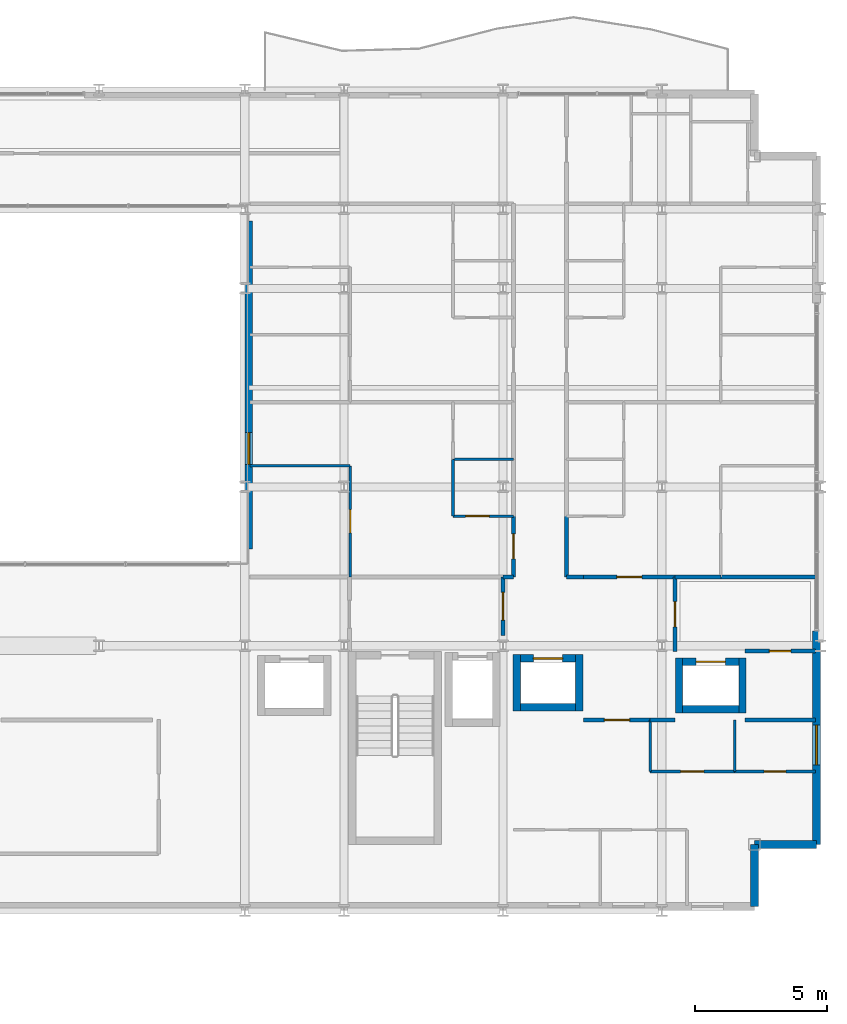
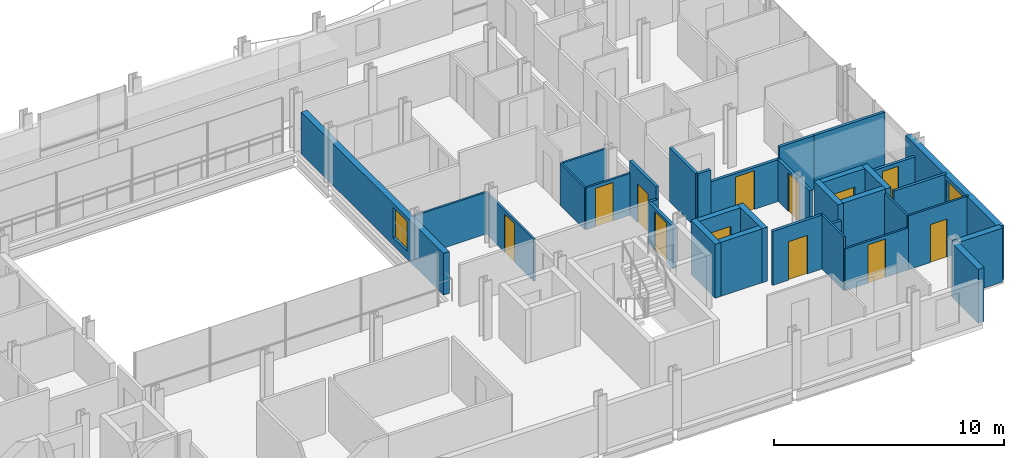
# One storey, part 35 of 40: 34 walls, 12 doors, 2 windows, 14 openings.
"""IFC4 building model written with IfcOpenShell, lengths in metres."""

from ifc_helpers import new_model, si_unit, direction, frame, frame_2d, origin, place, context, subcontext, project, spatial, rectangle, extrude, material, layer, layer_set, type_object, element, fill, save


model = new_model("IFC4")

# Units and contexts
model_context = context("Model", 3, precision=1e-05, world=origin(), true_north=direction((0.0, 1.0)))
body_context = subcontext(model_context, "Body", "Model", "MODEL_VIEW")
ifc_project = project(units=[si_unit("LENGTHUNIT", "METRE"), si_unit("AREAUNIT", "SQUARE_METRE"), si_unit("VOLUMEUNIT", "CUBIC_METRE"), si_unit("PLANEANGLEUNIT", "RADIAN"), si_unit("MASSUNIT", "GRAM", prefix="KILO")], contexts=[model_context])

# Site, building, storey
site_placement = place(None, origin())
site = spatial("IfcSite", under=ifc_project, at=site_placement, CompositionType="ELEMENT")
building_placement = place(site_placement, origin())
building = spatial("IfcBuilding", under=site, at=building_placement, Name="Brevholm Reach", CompositionType="ELEMENT")
storey_placement = place(building_placement, frame((0.0, 0.0, 80.699951171875)))
storey = spatial("IfcBuildingStorey", under=building, at=storey_placement, Name="L23", CompositionType="ELEMENT", Elevation=80.699951171875)

# Walls
ifc_material_1 = material(Name="Concrete C50/60", Category="concrete")
ifc_layer_1 = layer(ifc_material_1, 0.280029296875)
ifc_layer_set_1 = layer_set([ifc_layer_1], Name="Concrete C50/60")
wall_type_1 = type_object("IfcWallType", Name="WAL-COR-280", PredefinedType="SHEAR", material=ifc_layer_set_1)
for number, where, z_axis, x_axis, name in (
    (1, (48.52490234375, 7.534912109375, 0.0), (0.0, 0.0, 1.0), (0.0, 1.0, 0.0), "L23 Lift PL-L1 Shaft Wall W"),
    (2, (50.875, 7.534912109375, 0.0), (0.0, 0.0, 1.0), (0.0, 1.0, 0.0), "L23 Lift PL-L1 Shaft Wall E"),
):
    element("IfcWall", number, at=place(storey_placement, frame(where, z_axis=z_axis, x_axis=x_axis)), inside=storey, type_object=wall_type_1, Name=name, PredefinedType="SHEAR", context=body_context, shape_type="SweptSolid", body=[
        extrude(rectangle(XDim=2.130126953125, YDim=0.280029296875, at=frame_2d((1.06494140625, 0.0))), origin(), (0.0, 0.0, 1.0), 2.8701171875),
    ])
wall_1_placement = place(storey_placement, frame((48.6650390625, 7.675048828125, 0.0), z_axis=(0.0, 0.0, 1.0), x_axis=(1.0, 0.0, 0.0)))
element("IfcWall", 3, at=wall_1_placement, inside=storey, type_object=wall_type_1, Name="L23 Lift PL-L1 Shaft Wall S", PredefinedType="SHEAR", context=body_context, shape_type="SweptSolid", body=[
    extrude(rectangle(XDim=2.070068359375, YDim=0.280029296875, at=frame_2d((1.03515625, 0.0))), origin(), (0.0, 0.0, 1.0), 2.8701171875),
])

# Wall, opening, door
wall_2_placement = place(storey_placement, frame((48.6650390625, 9.52490234375, 0.0), z_axis=(0.0, 0.0, 1.0), x_axis=(1.0, 0.0, 0.0)))
wall_2 = element("IfcWall", 4, at=wall_2_placement, inside=storey, type_object=wall_type_1, Name="L23 Lift PL-L1 Shaft Wall N", PredefinedType="SHEAR", context=body_context, shape_type="SweptSolid", body=[
    extrude(rectangle(XDim=2.070068359375, YDim=0.280029296875, at=frame_2d((1.03515625, 0.0))), origin(), (0.0, 0.0, 1.0), 2.8701171875),
])
opening_1_placement = place(wall_2_placement, frame((0.485107421875, 0.0, 0.0)))
opening_1 = element("IfcOpeningElement", 5, at=opening_1_placement, cuts=wall_2, Name="Opening LD-PL-L1", PredefinedType="OPENING", context=body_context, shape_type="SweptSolid", body=[
    extrude(rectangle(XDim=1.10009765625, YDim=2.06005859375, at=frame_2d((0.550048828125, 1.030029296875))), frame((0.0, 0.14990234375, 0.0), z_axis=(0.0, -1.0, 0.0), x_axis=(1.0, 0.0, 0.0)), (0.0, 0.0, 1.0), 0.300048828125),
])
ifc_material_2 = material(Name="Brushed Stainless Steel Fire-Rated Sliding Lift Door", Category="steel")
door_type_1 = type_object("IfcDoorType", Name="DOR-LFT-1100", OperationType="NOTDEFINED", PredefinedType="DOOR", material=ifc_material_2)
door_1_placement = place(opening_1_placement, origin())
door_1 = element("IfcDoor", 6, at=door_1_placement, inside=storey, type_object=door_type_1, Name="L23 Lift PL-L1 Sliding Landing Door", OperationType="SLIDING_TO_LEFT", OverallHeight=2.06005859375, OverallWidth=1.10009765625, PredefinedType="DOOR", context=body_context, shape_type="SweptSolid", body=[
    extrude(rectangle(XDim=1.10009765625, YDim=2.06005859375, at=frame_2d((0.550048828125, 1.030029296875))), frame((0.0, 0.02490234375, 0.0), z_axis=(0.0, -1.0, 0.0), x_axis=(1.0, 0.0, 0.0)), (0.0, 0.0, 1.0), 0.050048828125),
])
fill(opening_1, door_1)

# Walls
for number, where, z_axis, x_axis, name in (
    (7, (54.64990234375, 7.4599609375, 0.0), (0.0, 0.0, 1.0), (0.0, 1.0, 0.0), "L23 Lift PL-L2 Shaft Wall W"),
    (8, (57.050048828125, 7.4599609375, 0.0), (0.0, 0.0, 1.0), (0.0, 1.0, 0.0), "L23 Lift PL-L2 Shaft Wall E"),
):
    element("IfcWall", number, at=place(storey_placement, frame(where, z_axis=z_axis, x_axis=x_axis)), inside=storey, type_object=wall_type_1, Name=name, PredefinedType="SHEAR", context=body_context, shape_type="SweptSolid", body=[
        extrude(rectangle(XDim=2.080078125, YDim=0.280029296875, at=frame_2d((1.0400390625, 0.0))), origin(), (0.0, 0.0, 1.0), 2.8701171875),
    ])
wall_3_placement = place(storey_placement, frame((54.7900390625, 7.60009765625, 0.0), z_axis=(0.0, 0.0, 1.0), x_axis=(1.0, 0.0, 0.0)))
element("IfcWall", 9, at=wall_3_placement, inside=storey, type_object=wall_type_1, Name="L23 Lift PL-L2 Shaft Wall S", PredefinedType="SHEAR", context=body_context, shape_type="SweptSolid", body=[
    extrude(rectangle(XDim=2.119873046875, YDim=0.280029296875, at=frame_2d((1.06005859375, 0.0))), origin(), (0.0, 0.0, 1.0), 2.8701171875),
])

# Wall, opening, door
wall_4_placement = place(storey_placement, frame((54.7900390625, 9.39990234375, 0.0), z_axis=(0.0, 0.0, 1.0), x_axis=(1.0, 0.0, 0.0)))
wall_4 = element("IfcWall", 10, at=wall_4_placement, inside=storey, type_object=wall_type_1, Name="L23 Lift PL-L2 Shaft Wall N", PredefinedType="SHEAR", context=body_context, shape_type="SweptSolid", body=[
    extrude(rectangle(XDim=2.119873046875, YDim=0.280029296875, at=frame_2d((1.06005859375, 0.0))), origin(), (0.0, 0.0, 1.0), 2.8701171875),
])
opening_2_placement = place(wall_4_placement, frame((0.510009765625, 0.0, 0.0)))
opening_2 = element("IfcOpeningElement", 11, at=opening_2_placement, cuts=wall_4, Name="Opening LD-PL-L2", PredefinedType="OPENING", context=body_context, shape_type="SweptSolid", body=[
    extrude(rectangle(XDim=1.10009765625, YDim=2.06005859375, at=frame_2d((0.550048828125, 1.030029296875))), frame((0.0, 0.14990234375, 0.0), z_axis=(0.0, -1.0, 0.0), x_axis=(1.0, 0.0, 0.0)), (0.0, 0.0, 1.0), 0.300048828125),
])
door_2_placement = place(opening_2_placement, origin())
door_2 = element("IfcDoor", 12, at=door_2_placement, inside=storey, type_object=door_type_1, Name="L23 Lift PL-L2 Sliding Landing Door", OperationType="SLIDING_TO_RIGHT", OverallHeight=2.06005859375, OverallWidth=1.10009765625, PredefinedType="DOOR", context=body_context, shape_type="SweptSolid", body=[
    extrude(rectangle(XDim=1.10009765625, YDim=2.06005859375, at=frame_2d((0.550048828125, 1.030029296875))), frame((0.0, 0.02490234375, 0.0), z_axis=(0.0, -1.0, 0.0), x_axis=(1.0, 0.0, 0.0)), (0.0, 0.0, 1.0), 0.050048828125),
])
fill(opening_2, door_2)

# Walls
ifc_material_3 = material(Name="Concrete C40/50", Category="concrete")
ifc_layer_2 = layer(ifc_material_3, 0.300048828125)
ifc_layer_set_2 = layer_set([ifc_layer_2], Name="Concrete C40/50")
wall_type_2 = type_object("IfcWallType", Name="WAL-EXT-300", PredefinedType="STANDARD", material=ifc_layer_set_2)
for number, where, z_axis, x_axis, name in (
    (13, (57.5, 0.14990234375, 0.0), (0.0, 0.0, 1.0), (0.0, 1.0, 0.0), "L23 Facade Wall WAL-L23-CSE1"),
    (14, (57.5, 2.5, 0.0), (0.0, 0.0, 1.0), (1.0, 0.0, 0.0), "L23 Facade Wall WAL-L23-CSE2"),
):
    element("IfcWall", number, at=place(storey_placement, frame(where, z_axis=z_axis, x_axis=x_axis)), inside=storey, type_object=wall_type_2, Name=name, PredefinedType="STANDARD", context=body_context, shape_type="SweptSolid", body=[
        extrude(rectangle(XDim=2.35009765625, YDim=0.300048828125, at=frame_2d((1.175048828125, 0.0))), origin(), (0.0, 0.0, 1.0), 2.8701171875),
    ])

# Wall, opening, window
wall_5_placement = place(storey_placement, frame((59.85009765625, 2.5, 0.0), z_axis=(0.0, 0.0, 1.0), x_axis=(0.0, 1.0, 0.0)))
wall_5 = element("IfcWall", 15, at=wall_5_placement, inside=storey, type_object=wall_type_2, Name="L23 Facade Wall WAL-L23-E-S", PredefinedType="STANDARD", context=body_context, shape_type="SweptSolid", body=[
    extrude(rectangle(XDim=8.050048828125, YDim=0.300048828125, at=frame_2d((4.02490234375, 0.0))), origin(), (0.0, 0.0, 1.0), 2.8701171875),
])
opening_3_placement = place(wall_5_placement, frame((3.0, 0.0, 0.85009765625)))
opening_3 = element("IfcOpeningElement", 16, at=opening_3_placement, cuts=wall_5, Name="Opening WN-05", PredefinedType="OPENING", context=body_context, shape_type="SweptSolid", body=[
    extrude(rectangle(XDim=1.5, YDim=1.800048828125, at=frame_2d((0.75, 0.89990234375))), frame((0.0, 0.159912109375, 0.0), z_axis=(0.0, -1.0, 0.0), x_axis=(1.0, 0.0, 0.0)), (0.0, 0.0, 1.0), 0.320068359375),
])
ifc_material_4 = material(Name="Dark Anodised Aluminium and Solar-Control IGU Glass", Category="aluminium")
window_type_1 = type_object("IfcWindowType", Name="WIN-RES-1500", PartitioningType="SINGLE_PANEL", PredefinedType="WINDOW", material=ifc_material_4)
window_1_placement = place(opening_3_placement, origin())
window_1 = element("IfcWindow", 17, at=window_1_placement, inside=storey, type_object=window_type_1, Name="L23 Window WIN-L23-ES-1", OverallHeight=1.800048828125, OverallWidth=1.5, PartitioningType="SINGLE_PANEL", PredefinedType="WINDOW", context=body_context, shape_type="SweptSolid", body=[
    extrude(rectangle(XDim=1.5, YDim=1.800048828125, at=frame_2d((0.75, 0.89990234375))), frame((0.0, 0.030029296875, 0.0), z_axis=(0.0, -1.0, 0.0), x_axis=(1.0, 0.0, 0.0)), (0.0, 0.0, 1.0), 0.06005859375),
])
fill(opening_3, window_1)

wall_6_placement = place(storey_placement, frame((38.39990234375, 13.64990234375, 0.0), z_axis=(0.0, 0.0, 1.0), x_axis=(0.0, 1.0, 0.0)))
wall_6 = element("IfcWall", 18, at=wall_6_placement, inside=storey, type_object=wall_type_2, Name="L23 Facade Wall WAL-L23-AT-E", PredefinedType="STANDARD", context=body_context, shape_type="SweptSolid", body=[
    extrude(rectangle(XDim=12.400146484375, YDim=0.300048828125, at=frame_2d((6.2001953125, 0.0))), origin(), (0.0, 0.0, 1.0), 2.224853515625),
])
opening_4_placement = place(wall_6_placement, frame((3.199951171875, 0.0, 0.405029296875)))
opening_4 = element("IfcOpeningElement", 19, at=opening_4_placement, cuts=wall_6, Name="Opening WN-08", PredefinedType="OPENING", context=body_context, shape_type="SweptSolid", body=[
    extrude(rectangle(XDim=1.199951171875, YDim=1.60009765625, at=frame_2d((0.60009765625, 0.800048828125))), frame((0.0, 0.159912109375, 0.0), z_axis=(0.0, -1.0, 0.0), x_axis=(1.0, 0.0, 0.0)), (0.0, 0.0, 1.0), 0.320068359375),
])
ifc_material_5 = material(Name="Dark Anodised Aluminium and Solar-Control IGU Glass", Category="aluminium")
window_type_2 = type_object("IfcWindowType", Name="WIN-RES-1200", PartitioningType="SINGLE_PANEL", PredefinedType="WINDOW", material=ifc_material_5)
window_2_placement = place(opening_4_placement, origin())
window_2 = element("IfcWindow", 20, at=window_2_placement, inside=storey, type_object=window_type_2, Name="L23 Window WIN-L23-AT-E1", OverallHeight=1.60009765625, OverallWidth=1.199951171875, PartitioningType="SINGLE_PANEL", PredefinedType="WINDOW", context=body_context, shape_type="SweptSolid", body=[
    extrude(rectangle(XDim=1.199951171875, YDim=1.60009765625, at=frame_2d((0.60009765625, 0.800048828125))), frame((0.0, 0.030029296875, 0.0), z_axis=(0.0, -1.0, 0.0), x_axis=(1.0, 0.0, 0.0)), (0.0, 0.0, 1.0), 0.06005859375),
])
fill(opening_4, window_2)

# Wall
ifc_material_6 = material(Name="Moisture-Resistant Acoustic Gypsum Stud Partition 100 mm", Category="gypsum")
ifc_layer_3 = layer(ifc_material_6, 0.10009765625)
ifc_layer_set_3 = layer_set([ifc_layer_3], Name="Moisture-Resistant Acoustic Gypsum Stud Partition 100 mm")
wall_type_3 = type_object("IfcWallType", Name="WAL-PRT-100", PredefinedType="PARTITIONING", material=ifc_layer_set_3)
wall_7_placement = place(storey_placement, frame((56.75, 5.25, 0.0), z_axis=(0.0, 0.0, 1.0), x_axis=(0.0, 1.0, 0.0)))
element("IfcWall", 21, at=wall_7_placement, inside=storey, type_object=wall_type_3, Name="L23 Internal Partition 083", PredefinedType="PARTITIONING", context=body_context, shape_type="SweptSolid", body=[
    extrude(rectangle(XDim=1.949951171875, YDim=0.10009765625, at=frame_2d((0.97509765625, 0.0))), origin(), (0.0, 0.0, 1.0), 2.8701171875),
])

# Wall, opening, door
wall_8_placement = place(storey_placement, frame((56.75, 5.25, 0.0), z_axis=(0.0, 0.0, 1.0), x_axis=(1.0, 0.0, 0.0)))
wall_8 = element("IfcWall", 22, at=wall_8_placement, inside=storey, type_object=wall_type_3, Name="L23 Internal Partition 084", PredefinedType="PARTITIONING", context=body_context, shape_type="SweptSolid", body=[
    extrude(rectangle(XDim=3.050048828125, YDim=0.10009765625, at=frame_2d((1.52490234375, 0.0))), origin(), (0.0, 0.0, 1.0), 2.8701171875),
])
opening_5_placement = place(wall_8_placement, frame((1.114990234375, 0.0, 0.0)))
opening_5 = element("IfcOpeningElement", 23, at=opening_5_placement, cuts=wall_8, Name="Opening ID-03", PredefinedType="OPENING", context=body_context, shape_type="SweptSolid", body=[
    extrude(rectangle(XDim=0.820068359375, YDim=2.02001953125, at=frame_2d((0.41015625, 1.010009765625))), frame((0.0, 0.06005859375, 0.0), z_axis=(0.0, -1.0, 0.0), x_axis=(1.0, 0.0, 0.0)), (0.0, 0.0, 1.0), 0.1201171875),
])
ifc_material_7 = material(Name="Moisture-Resistant Painted Timber Internal Bathroom Door", Category="wood")
door_type_2 = type_object("IfcDoorType", Name="DOR-BATH-820", OperationType="NOTDEFINED", PredefinedType="DOOR", material=ifc_material_7)
door_3_placement = place(opening_5_placement, origin())
door_3 = element("IfcDoor", 24, at=door_3_placement, inside=storey, type_object=door_type_2, Name="L23 Internal Door 032", OperationType="SINGLE_SWING_LEFT", OverallHeight=2.02001953125, OverallWidth=0.820068359375, PredefinedType="DOOR", context=body_context, shape_type="SweptSolid", body=[
    extrude(rectangle(XDim=0.820068359375, YDim=2.02001953125, at=frame_2d((0.41015625, 1.010009765625))), frame((0.0, 0.02490234375, 0.0), z_axis=(0.0, -1.0, 0.0), x_axis=(1.0, 0.0, 0.0)), (0.0, 0.0, 1.0), 0.050048828125),
])
fill(opening_5, door_3)

wall_9_placement = place(storey_placement, frame((53.55810546875, 5.25, 0.0), z_axis=(0.0, 0.0, 1.0), x_axis=(1.0, 0.0, 0.0)))
wall_9 = element("IfcWall", 25, at=wall_9_placement, inside=storey, type_object=wall_type_3, Name="L23 Internal Partition 085", PredefinedType="PARTITIONING", context=body_context, shape_type="SweptSolid", body=[
    extrude(rectangle(XDim=3.18798828125, YDim=0.10009765625, at=frame_2d((1.593994140625, 0.0))), origin(), (0.0, 0.0, 1.0), 2.224853515625),
])
opening_6_placement = place(wall_9_placement, frame((1.154052734375, 0.0, 0.0)))
opening_6 = element("IfcOpeningElement", 26, at=opening_6_placement, cuts=wall_9, Name="Opening ID-01", PredefinedType="OPENING", context=body_context, shape_type="SweptSolid", body=[
    extrude(rectangle(XDim=0.8798828125, YDim=2.0400390625, at=frame_2d((0.43994140625, 1.02001953125))), frame((0.0, 0.06005859375, 0.0), z_axis=(0.0, -1.0, 0.0), x_axis=(1.0, 0.0, 0.0)), (0.0, 0.0, 1.0), 0.1201171875),
])
ifc_material_8 = material(Name="Lacquered Ash Solid-Core Acoustic Internal Door", Category="timber")
door_type_3 = type_object("IfcDoorType", Name="DOR-INT-880", OperationType="NOTDEFINED", PredefinedType="DOOR", material=ifc_material_8)
door_4_placement = place(opening_6_placement, origin())
door_4 = element("IfcDoor", 27, at=door_4_placement, inside=storey, type_object=door_type_3, Name="L23 Internal Door 033", OperationType="SINGLE_SWING_RIGHT", OverallHeight=2.0400390625, OverallWidth=0.8798828125, PredefinedType="DOOR", context=body_context, shape_type="SweptSolid", body=[
    extrude(rectangle(XDim=0.8798828125, YDim=2.0400390625, at=frame_2d((0.43994140625, 1.02001953125))), frame((0.0, 0.02490234375, 0.0), z_axis=(0.0, -1.0, 0.0), x_axis=(1.0, 0.0, 0.0)), (0.0, 0.0, 1.0), 0.050048828125),
])
fill(opening_6, door_4)

# Walls
wall_10_placement = place(storey_placement, frame((53.55810546875, 5.25, 0.0), z_axis=(0.0, 0.0, 1.0), x_axis=(0.0, 1.0, 0.0)))
element("IfcWall", 28, at=wall_10_placement, inside=storey, type_object=wall_type_3, Name="L23 Internal Partition 086", PredefinedType="PARTITIONING", context=body_context, shape_type="SweptSolid", body=[
    extrude(rectangle(XDim=1.946044921875, YDim=0.10009765625, at=frame_2d((0.97314453125, 0.0))), origin(), (0.0, 0.0, 1.0), 2.8701171875),
])
wall_11_placement = place(storey_placement, frame((46.112060546875, 17.050048828125, 0.0), z_axis=(0.0, 0.0, 1.0), x_axis=(1.0, 0.0, 0.0)))
element("IfcWall", 29, at=wall_11_placement, inside=storey, type_object=wall_type_3, Name="L23 Internal Partition 130", PredefinedType="PARTITIONING", context=body_context, shape_type="SweptSolid", body=[
    extrude(rectangle(XDim=2.283935546875, YDim=0.10009765625, at=frame_2d((1.14208984375, 0.0))), origin(), (0.0, 0.0, 1.0), 2.224853515625),
])

# Wall, opening, door
wall_12_placement = place(storey_placement, frame((46.112060546875, 14.89990234375, 0.0), z_axis=(0.0, 0.0, 1.0), x_axis=(1.0, 0.0, 0.0)))
wall_12 = element("IfcWall", 30, at=wall_12_placement, inside=storey, type_object=wall_type_3, Name="L23 Internal Partition 133", PredefinedType="PARTITIONING", context=body_context, shape_type="SweptSolid", body=[
    extrude(rectangle(XDim=2.283935546875, YDim=0.10009765625, at=frame_2d((1.14208984375, 0.0))), origin(), (0.0, 0.0, 1.0), 2.224853515625),
])
opening_7_placement = place(wall_12_placement, frame((0.48193359375, 0.0, 0.0)))
opening_7 = element("IfcOpeningElement", 31, at=opening_7_placement, cuts=wall_12, Name="Opening ID-01", PredefinedType="OPENING", context=body_context, shape_type="SweptSolid", body=[
    extrude(rectangle(XDim=0.8798828125, YDim=2.0400390625, at=frame_2d((0.43994140625, 1.02001953125))), frame((0.0, 0.06005859375, 0.0), z_axis=(0.0, -1.0, 0.0), x_axis=(1.0, 0.0, 0.0)), (0.0, 0.0, 1.0), 0.1201171875),
])
door_5_placement = place(opening_7_placement, origin())
door_5 = element("IfcDoor", 32, at=door_5_placement, inside=storey, type_object=door_type_3, Name="L23 Internal Door 051", OperationType="SINGLE_SWING_RIGHT", OverallHeight=2.0400390625, OverallWidth=0.8798828125, PredefinedType="DOOR", context=body_context, shape_type="SweptSolid", body=[
    extrude(rectangle(XDim=0.8798828125, YDim=2.0400390625, at=frame_2d((0.43994140625, 1.02001953125))), frame((0.0, 0.02490234375, 0.0), z_axis=(0.0, -1.0, 0.0), x_axis=(1.0, 0.0, 0.0)), (0.0, 0.0, 1.0), 0.050048828125),
])
fill(opening_7, door_5)

# Wall
wall_13_placement = place(storey_placement, frame((46.112060546875, 14.89990234375, 0.0), z_axis=(0.0, 0.0, 1.0), x_axis=(0.0, 1.0, 0.0)))
element("IfcWall", 33, at=wall_13_placement, inside=storey, type_object=wall_type_3, Name="L23 Internal Partition 134", PredefinedType="PARTITIONING", context=body_context, shape_type="SweptSolid", body=[
    extrude(rectangle(XDim=2.14599609375, YDim=0.10009765625, at=frame_2d((1.072998046875, 0.0))), origin(), (0.0, 0.0, 1.0), 2.224853515625),
])

# Wall, opening, door
wall_14_placement = place(storey_placement, frame((42.23095703125, 12.60400390625, 0.0), z_axis=(0.0, 0.0, 1.0), x_axis=(0.0, 1.0, 0.0)))
wall_14 = element("IfcWall", 34, at=wall_14_placement, inside=storey, type_object=wall_type_3, Name="L23 Internal Partition 135", PredefinedType="PARTITIONING", context=body_context, shape_type="SweptSolid", body=[
    extrude(rectangle(XDim=4.196044921875, YDim=0.10009765625, at=frame_2d((2.09814453125, 0.0))), origin(), (0.0, 0.0, 1.0), 2.224853515625),
])
opening_8_placement = place(wall_14_placement, frame((1.657958984375, 0.0, 0.0)))
opening_8 = element("IfcOpeningElement", 35, at=opening_8_placement, cuts=wall_14, Name="Opening ID-01", PredefinedType="OPENING", context=body_context, shape_type="SweptSolid", body=[
    extrude(rectangle(XDim=0.8798828125, YDim=2.0400390625, at=frame_2d((0.43994140625, 1.02001953125))), frame((0.0, 0.06005859375, 0.0), z_axis=(0.0, -1.0, 0.0), x_axis=(1.0, 0.0, 0.0)), (0.0, 0.0, 1.0), 0.1201171875),
])
door_6_placement = place(opening_8_placement, origin())
door_6 = element("IfcDoor", 36, at=door_6_placement, inside=storey, type_object=door_type_3, Name="L23 Internal Door 052", OperationType="SINGLE_SWING_LEFT", OverallHeight=2.0400390625, OverallWidth=0.8798828125, PredefinedType="DOOR", context=body_context, shape_type="SweptSolid", body=[
    extrude(rectangle(XDim=0.8798828125, YDim=2.0400390625, at=frame_2d((0.43994140625, 1.02001953125))), frame((0.0, 0.02490234375, 0.0), z_axis=(0.0, -1.0, 0.0), x_axis=(1.0, 0.0, 0.0)), (0.0, 0.0, 1.0), 0.050048828125),
])
fill(opening_8, door_6)

# Wall
wall_15_placement = place(storey_placement, frame((38.449951171875, 16.800048828125, 0.0), z_axis=(0.0, 0.0, 1.0), x_axis=(1.0, 0.0, 0.0)))
element("IfcWall", 37, at=wall_15_placement, inside=storey, type_object=wall_type_3, Name="L23 Internal Partition 136", PredefinedType="PARTITIONING", context=body_context, shape_type="SweptSolid", body=[
    extrude(rectangle(XDim=3.781005859375, YDim=0.10009765625, at=frame_2d((1.890625, 0.0))), origin(), (0.0, 0.0, 1.0), 2.224853515625),
])

# Wall, opening, door
ifc_material_9 = material(Name="Twin-Stud Acoustic Fire-Rated Gypsum Partition 140 mm", Category="gypsum")
ifc_layer_4 = layer(ifc_material_9, 0.139892578125)
ifc_layer_set_4 = layer_set([ifc_layer_4], Name="Twin-Stud Acoustic Fire-Rated Gypsum Partition 140 mm")
wall_type_4 = type_object("IfcWallType", Name="WAL-PRT-140", PredefinedType="PARTITIONING", material=ifc_layer_set_4)
wall_16_placement = place(storey_placement, frame((54.5, 9.788818359375, 0.0), z_axis=(0.0, 0.0, 1.0), x_axis=(0.0, 1.0, 0.0)))
wall_16 = element("IfcWall", 38, at=wall_16_placement, inside=storey, type_object=wall_type_4, Name="L23 Internal Partition 013", PredefinedType="PARTITIONING", context=body_context, shape_type="SweptSolid", body=[
    extrude(rectangle(XDim=2.811279296875, YDim=0.139892578125, at=frame_2d((1.40576171875, 0.0))), origin(), (0.0, 0.0, 1.0), 2.224853515625),
])
opening_9_placement = place(wall_16_placement, frame((0.9306640625, 0.0, 0.0)))
opening_9 = element("IfcOpeningElement", 39, at=opening_9_placement, cuts=wall_16, Name="Opening ID-30", PredefinedType="OPENING", context=body_context, shape_type="SweptSolid", body=[
    extrude(rectangle(XDim=0.949951171875, YDim=2.050048828125, at=frame_2d((0.47509765625, 1.02490234375))), frame((0.0, 0.079833984375, 0.0), z_axis=(0.0, -1.0, 0.0), x_axis=(1.0, 0.0, 0.0)), (0.0, 0.0, 1.0), 0.159912109375),
])
ifc_material_10 = material(Name="European Oak Veneered Solid-Core Fire Entrance Door", Category="timber")
door_type_4 = type_object("IfcDoorType", Name="DOR-FLT-FD30S", OperationType="NOTDEFINED", PredefinedType="DOOR", material=ifc_material_10)
door_7_placement = place(opening_9_placement, origin())
door_7 = element("IfcDoor", 40, at=door_7_placement, inside=storey, type_object=door_type_4, Name="L23 Internal Door 008", OperationType="SINGLE_SWING_LEFT", OverallHeight=2.050048828125, OverallWidth=0.949951171875, PredefinedType="DOOR", context=body_context, shape_type="SweptSolid", body=[
    extrude(rectangle(XDim=0.949951171875, YDim=2.050048828125, at=frame_2d((0.47509765625, 1.02490234375))), frame((0.0, 0.02490234375, 0.0), z_axis=(0.0, -1.0, 0.0), x_axis=(1.0, 0.0, 0.0)), (0.0, 0.0, 1.0), 0.050048828125),
])
fill(opening_9, door_7)

# Wall
wall_17_placement = place(storey_placement, frame((53.546630859375, 7.199951171875, 0.0), z_axis=(0.0, 0.0, 1.0), x_axis=(1.0, 0.0, 0.0)))
element("IfcWall", 41, at=wall_17_placement, inside=storey, type_object=wall_type_4, Name="L23 Internal Partition 014", PredefinedType="PARTITIONING", context=body_context, shape_type="SweptSolid", body=[
    extrude(rectangle(XDim=0.953369140625, YDim=0.139892578125, at=frame_2d((0.4765625, 0.0))), origin(), (0.0, 0.0, 1.0), 2.224853515625),
])

# Wall, opening, door
wall_18_placement = place(storey_placement, frame((51.050048828125, 7.199951171875, 0.0), z_axis=(0.0, 0.0, 1.0), x_axis=(1.0, 0.0, 0.0)))
wall_18 = element("IfcWall", 42, at=wall_18_placement, inside=storey, type_object=wall_type_4, Name="L23 Internal Partition 015", PredefinedType="PARTITIONING", context=body_context, shape_type="SweptSolid", body=[
    extrude(rectangle(XDim=2.51513671875, YDim=0.139892578125, at=frame_2d((1.257568359375, 0.0))), origin(), (0.0, 0.0, 1.0), 2.8701171875),
])
opening_10_placement = place(wall_18_placement, frame((0.78271484375, 0.0, 0.0)))
opening_10 = element("IfcOpeningElement", 43, at=opening_10_placement, cuts=wall_18, Name="Opening ID-30", PredefinedType="OPENING", context=body_context, shape_type="SweptSolid", body=[
    extrude(rectangle(XDim=0.949951171875, YDim=2.050048828125, at=frame_2d((0.47509765625, 1.02490234375))), frame((0.0, 0.079833984375, 0.0), z_axis=(0.0, -1.0, 0.0), x_axis=(1.0, 0.0, 0.0)), (0.0, 0.0, 1.0), 0.159912109375),
])
door_8_placement = place(opening_10_placement, origin())
door_8 = element("IfcDoor", 44, at=door_8_placement, inside=storey, type_object=door_type_4, Name="L23 Internal Door 009", OperationType="SINGLE_SWING_RIGHT", OverallHeight=2.050048828125, OverallWidth=0.949951171875, PredefinedType="DOOR", context=body_context, shape_type="SweptSolid", body=[
    extrude(rectangle(XDim=0.949951171875, YDim=2.050048828125, at=frame_2d((0.47509765625, 1.02490234375))), frame((0.0, 0.02490234375, 0.0), z_axis=(0.0, -1.0, 0.0), x_axis=(1.0, 0.0, 0.0)), (0.0, 0.0, 1.0), 0.050048828125),
])
fill(opening_10, door_8)

wall_19_placement = place(storey_placement, frame((51.050048828125, 12.60009765625, 0.0), z_axis=(0.0, 0.0, 1.0), x_axis=(1.0, 0.0, 0.0)))
wall_19 = element("IfcWall", 45, at=wall_19_placement, inside=storey, type_object=wall_type_4, Name="L23 Internal Partition 016", PredefinedType="PARTITIONING", context=body_context, shape_type="SweptSolid", body=[
    extrude(rectangle(XDim=3.449951171875, YDim=0.139892578125, at=frame_2d((1.72509765625, 0.0))), origin(), (0.0, 0.0, 1.0), 2.224853515625),
])
opening_11_placement = place(wall_19_placement, frame((1.25, 0.0, 0.0)))
opening_11 = element("IfcOpeningElement", 46, at=opening_11_placement, cuts=wall_19, Name="Opening ID-30", PredefinedType="OPENING", context=body_context, shape_type="SweptSolid", body=[
    extrude(rectangle(XDim=0.949951171875, YDim=2.050048828125, at=frame_2d((0.47509765625, 1.02490234375))), frame((0.0, 0.079833984375, 0.0), z_axis=(0.0, -1.0, 0.0), x_axis=(1.0, 0.0, 0.0)), (0.0, 0.0, 1.0), 0.159912109375),
])
door_9_placement = place(opening_11_placement, origin())
door_9 = element("IfcDoor", 47, at=door_9_placement, inside=storey, type_object=door_type_4, Name="L23 Internal Door 010", OperationType="SINGLE_SWING_LEFT", OverallHeight=2.050048828125, OverallWidth=0.949951171875, PredefinedType="DOOR", context=body_context, shape_type="SweptSolid", body=[
    extrude(rectangle(XDim=0.949951171875, YDim=2.050048828125, at=frame_2d((0.47509765625, 1.02490234375))), frame((0.0, 0.02490234375, 0.0), z_axis=(0.0, -1.0, 0.0), x_axis=(1.0, 0.0, 0.0)), (0.0, 0.0, 1.0), 0.050048828125),
])
fill(opening_11, door_9)

# Walls
wall_20_placement = place(storey_placement, frame((48.00390625, 12.60009765625, 0.0), z_axis=(0.0, 0.0, 1.0), x_axis=(1.0, 0.0, 0.0)))
element("IfcWall", 48, at=wall_20_placement, inside=storey, type_object=wall_type_4, Name="L23 Internal Partition 031", PredefinedType="PARTITIONING", context=body_context, shape_type="SweptSolid", body=[
    extrude(rectangle(XDim=0.4033203125, YDim=0.139892578125, at=frame_2d((0.20166015625, 0.0))), origin(), (0.0, 0.0, 1.0), 2.224853515625),
])
wall_21_placement = place(storey_placement, frame((50.392578125, 12.60009765625, 0.0), z_axis=(0.0, 0.0, 1.0), x_axis=(1.0, 0.0, 0.0)))
element("IfcWall", 49, at=wall_21_placement, inside=storey, type_object=wall_type_4, Name="L23 Internal Partition 032", PredefinedType="PARTITIONING", context=body_context, shape_type="SweptSolid", body=[
    extrude(rectangle(XDim=0.6533203125, YDim=0.139892578125, at=frame_2d((0.32666015625, 0.0))), origin(), (0.0, 0.0, 1.0), 2.8701171875),
])

# Wall, opening, door
wall_22_placement = place(storey_placement, frame((48.39990234375, 12.60400390625, 0.0), z_axis=(0.0, 0.0, 1.0), x_axis=(0.0, 1.0, 0.0)))
wall_22 = element("IfcWall", 50, at=wall_22_placement, inside=storey, type_object=wall_type_4, Name="L23 Internal Partition 048", PredefinedType="PARTITIONING", context=body_context, shape_type="SweptSolid", body=[
    extrude(rectangle(XDim=2.30322265625, YDim=0.139892578125, at=frame_2d((1.151611328125, 0.0))), origin(), (0.0, 0.0, 1.0), 2.8701171875),
])
opening_12_placement = place(wall_22_placement, frame((0.6767578125, 0.0, 0.0)))
opening_12 = element("IfcOpeningElement", 51, at=opening_12_placement, cuts=wall_22, Name="Opening ID-30", PredefinedType="OPENING", context=body_context, shape_type="SweptSolid", body=[
    extrude(rectangle(XDim=0.949951171875, YDim=2.050048828125, at=frame_2d((0.47509765625, 1.02490234375))), frame((0.0, 0.079833984375, 0.0), z_axis=(0.0, -1.0, 0.0), x_axis=(1.0, 0.0, 0.0)), (0.0, 0.0, 1.0), 0.159912109375),
])
door_10_placement = place(opening_12_placement, origin())
door_10 = element("IfcDoor", 52, at=door_10_placement, inside=storey, type_object=door_type_4, Name="L23 Internal Door 022", OperationType="SINGLE_SWING_LEFT", OverallHeight=2.050048828125, OverallWidth=0.949951171875, PredefinedType="DOOR", context=body_context, shape_type="SweptSolid", body=[
    extrude(rectangle(XDim=0.949951171875, YDim=2.050048828125, at=frame_2d((0.47509765625, 1.02490234375))), frame((0.0, 0.02490234375, 0.0), z_axis=(0.0, -1.0, 0.0), x_axis=(1.0, 0.0, 0.0)), (0.0, 0.0, 1.0), 0.050048828125),
])
fill(opening_12, door_10)

# Wall
wall_23_placement = place(storey_placement, frame((50.39990234375, 12.60400390625, 0.0), z_axis=(0.0, 0.0, 1.0), x_axis=(0.0, 1.0, 0.0)))
element("IfcWall", 53, at=wall_23_placement, inside=storey, type_object=wall_type_4, Name="L23 Internal Partition 054", PredefinedType="PARTITIONING", context=body_context, shape_type="SweptSolid", body=[
    extrude(rectangle(XDim=2.30322265625, YDim=0.139892578125, at=frame_2d((1.151611328125, 0.0))), origin(), (0.0, 0.0, 1.0), 2.8701171875),
])

# Wall, opening, door
wall_24_placement = place(storey_placement, frame((57.138671875, 9.800048828125, 0.0), z_axis=(0.0, 0.0, 1.0), x_axis=(1.0, 0.0, 0.0)))
wall_24 = element("IfcWall", 54, at=wall_24_placement, inside=storey, type_object=wall_type_4, Name="L23 Internal Partition 079", PredefinedType="PARTITIONING", context=body_context, shape_type="SweptSolid", body=[
    extrude(rectangle(XDim=2.661376953125, YDim=0.139892578125, at=frame_2d((1.33056640625, 0.0))), origin(), (0.0, 0.0, 1.0), 2.224853515625),
])
opening_13_placement = place(wall_24_placement, frame((0.920654296875, 0.0, 0.0)))
opening_13 = element("IfcOpeningElement", 55, at=opening_13_placement, cuts=wall_24, Name="Opening ID-02", PredefinedType="OPENING", context=body_context, shape_type="SweptSolid", body=[
    extrude(rectangle(XDim=0.820068359375, YDim=2.02001953125, at=frame_2d((0.41015625, 1.010009765625))), frame((0.0, 0.079833984375, 0.0), z_axis=(0.0, -1.0, 0.0), x_axis=(1.0, 0.0, 0.0)), (0.0, 0.0, 1.0), 0.159912109375),
])
ifc_material_11 = material(Name="Moisture-Resistant Painted Timber Fire-Rated Riser and Service Door", Category="wood")
door_type_5 = type_object("IfcDoorType", Name="DOR-SRV-820", OperationType="NOTDEFINED", PredefinedType="DOOR", material=ifc_material_11)
door_11_placement = place(opening_13_placement, origin())
door_11 = element("IfcDoor", 56, at=door_11_placement, inside=storey, type_object=door_type_5, Name="L23 Access Door 068", OperationType="SINGLE_SWING_LEFT", OverallHeight=2.02001953125, OverallWidth=0.820068359375, PredefinedType="DOOR", context=body_context, shape_type="SweptSolid", body=[
    extrude(rectangle(XDim=0.820068359375, YDim=2.02001953125, at=frame_2d((0.41015625, 1.010009765625))), frame((0.0, 0.02490234375, 0.0), z_axis=(0.0, -1.0, 0.0), x_axis=(1.0, 0.0, 0.0)), (0.0, 0.0, 1.0), 0.050048828125),
])
fill(opening_13, door_11)

# Walls
wall_25_placement = place(storey_placement, frame((56.216796875, 12.60009765625, 0.0), z_axis=(0.0, 0.0, 1.0), x_axis=(1.0, 0.0, 0.0)))
element("IfcWall", 57, at=wall_25_placement, inside=storey, type_object=wall_type_4, Name="L23 Internal Partition 080", PredefinedType="PARTITIONING", context=body_context, shape_type="SweptSolid", body=[
    extrude(rectangle(XDim=3.583251953125, YDim=0.139892578125, at=frame_2d((1.79150390625, 0.0))), origin(), (0.0, 0.0, 1.0), 2.8701171875),
])
wall_26_placement = place(storey_placement, frame((54.50390625, 12.60009765625, 0.0), z_axis=(0.0, 0.0, 1.0), x_axis=(1.0, 0.0, 0.0)))
element("IfcWall", 58, at=wall_26_placement, inside=storey, type_object=wall_type_4, Name="L23 Internal Partition 081", PredefinedType="PARTITIONING", context=body_context, shape_type="SweptSolid", body=[
    extrude(rectangle(XDim=1.7314453125, YDim=0.139892578125, at=frame_2d((0.86572265625, 0.0))), origin(), (0.0, 0.0, 1.0), 2.8701171875),
])
wall_27_placement = place(storey_placement, frame((57.14990234375, 7.199951171875, 0.0), z_axis=(0.0, 0.0, 1.0), x_axis=(1.0, 0.0, 0.0)))
element("IfcWall", 59, at=wall_27_placement, inside=storey, type_object=wall_type_4, Name="L23 Internal Partition 082", PredefinedType="PARTITIONING", context=body_context, shape_type="SweptSolid", body=[
    extrude(rectangle(XDim=2.650146484375, YDim=0.139892578125, at=frame_2d((1.3251953125, 0.0))), origin(), (0.0, 0.0, 1.0), 2.8701171875),
])

# Wall, opening, door
ifc_material_12 = material(Name="Twin-Frame Fire-Rated Gypsum Board and Mineral Wool 160 mm", Category="gypsum")
ifc_layer_5 = layer(ifc_material_12, 0.159912109375)
ifc_layer_set_5 = layer_set([ifc_layer_5], Name="Twin-Frame Fire-Rated Gypsum Board and Mineral Wool 160 mm")
wall_type_5 = type_object("IfcWallType", Name="WAL-PRT-160", PredefinedType="PARTITIONING", material=ifc_layer_set_5)
wall_28_placement = place(storey_placement, frame((48.0, 10.388671875, 0.0), z_axis=(0.0, 0.0, 1.0), x_axis=(0.0, 1.0, 0.0)))
wall_28 = element("IfcWall", 60, at=wall_28_placement, inside=storey, type_object=wall_type_5, Name="L23 Internal Partition 023", PredefinedType="PARTITIONING", context=body_context, shape_type="SweptSolid", body=[
    extrude(rectangle(XDim=2.21142578125, YDim=0.159912109375, at=frame_2d((1.105712890625, 0.0))), origin(), (0.0, 0.0, 1.0), 2.224853515625),
])
opening_14_placement = place(wall_28_placement, frame((0.58056640625, 0.0, 0.0)))
opening_14 = element("IfcOpeningElement", 61, at=opening_14_placement, cuts=wall_28, Name="Opening FD-01", PredefinedType="OPENING", context=body_context, shape_type="SweptSolid", body=[
    extrude(rectangle(XDim=1.050048828125, YDim=2.06005859375, at=frame_2d((0.52490234375, 1.030029296875))), frame((0.0, 0.08984375, 0.0), z_axis=(0.0, -1.0, 0.0), x_axis=(1.0, 0.0, 0.0)), (0.0, 0.0, 1.0), 0.179931640625),
])
ifc_material_13 = material(Name="Hardwood-Lipped Steel-Core Fire and Smoke Door", Category="steel")
door_type_6 = type_object("IfcDoorType", Name="DOR-INT-FD60S", OperationType="NOTDEFINED", PredefinedType="DOOR", material=ifc_material_13)
door_12_placement = place(opening_14_placement, origin())
door_12 = element("IfcDoor", 62, at=door_12_placement, inside=storey, type_object=door_type_6, Name="L23 Internal Door 014", OperationType="SINGLE_SWING_LEFT", OverallHeight=2.06005859375, OverallWidth=1.050048828125, PredefinedType="DOOR", context=body_context, shape_type="SweptSolid", body=[
    extrude(rectangle(XDim=1.050048828125, YDim=2.06005859375, at=frame_2d((0.52490234375, 1.030029296875))), frame((0.0, 0.02490234375, 0.0), z_axis=(0.0, -1.0, 0.0), x_axis=(1.0, 0.0, 0.0)), (0.0, 0.0, 1.0), 0.050048828125),
])
fill(opening_14, door_12)

save(model, "model.ifc")
